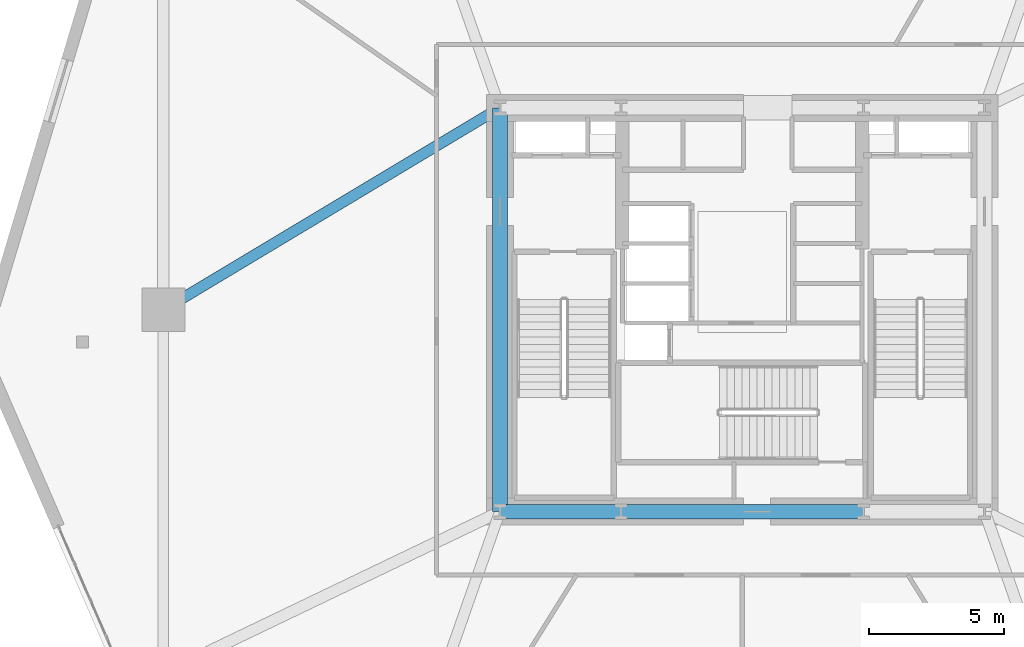
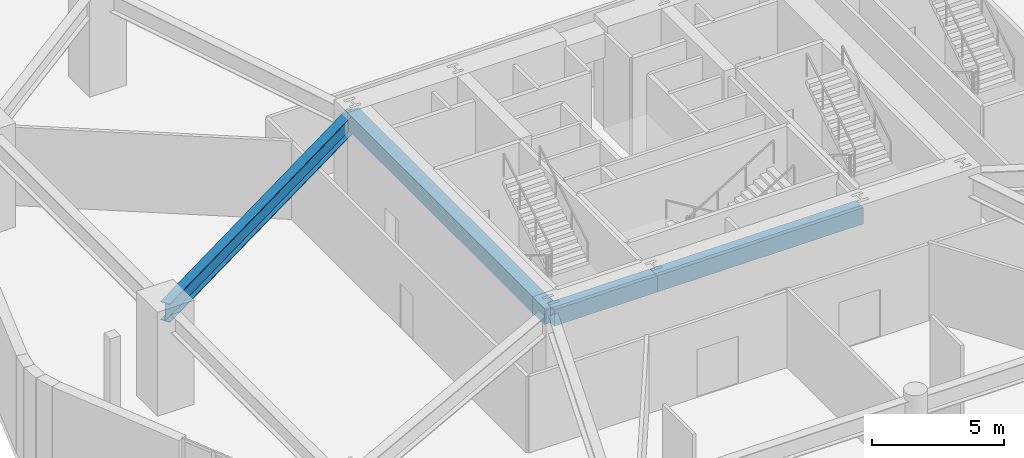
# One storey, part 8 of 17: 4 beams.
"""IFC4 building model written with IfcOpenShell, lengths in metres."""

from ifc_helpers import new_model, si_unit, direction, frame, origin, origin_2d, place, context, subcontext, project, spatial, rectangle, i_section, extrude, material, material_profile, profile_set, type_object, element, save


model = new_model("IFC4")

# Units and contexts
model_context = context("Model", 3, precision=1e-05, world=origin(), true_north=direction((0.0, 1.0)))
body_context = subcontext(model_context, "Body", "Model", "MODEL_VIEW")
ifc_project = project(units=[si_unit("LENGTHUNIT", "METRE"), si_unit("AREAUNIT", "SQUARE_METRE"), si_unit("VOLUMEUNIT", "CUBIC_METRE"), si_unit("PLANEANGLEUNIT", "RADIAN"), si_unit("MASSUNIT", "GRAM", prefix="KILO")], contexts=[model_context])

# Site, building, storey
site_placement = place(None, origin())
site = spatial("IfcSite", under=ifc_project, at=site_placement, CompositionType="ELEMENT")
building_placement = place(site_placement, origin())
building = spatial("IfcBuilding", under=site, at=building_placement, Name="Kilnhurst Terrace Hotel", CompositionType="ELEMENT")
storey_placement = place(building_placement, frame((0.0, 0.0, 18.60009765625)))
storey = spatial("IfcBuildingStorey", under=building, at=storey_placement, Name="L03", CompositionType="ELEMENT", Elevation=18.60009765625)

# Beams
ifc_material_1 = material(Name="Concrete C50/60", Category="concrete")
ifc_material_profile_1 = material_profile(ifc_material_1, rectangle(XDim=0.550048828125, YDim=0.75, at=origin_2d()), Name="RC550X750")
ifc_profile_set_1 = profile_set([ifc_material_profile_1], Name="Concrete C50/60")
beam_type_1 = type_object("IfcBeamType", Name="BM-SPN-550X750", PredefinedType="SPANDREL", material=ifc_profile_set_1)
beam_1_placement = place(storey_placement, frame((-9.0, -7.5, 4.10498046875), z_axis=(1.0, 0.0, 0.0), x_axis=(0.0, 1.0, 0.0)))
element("IfcBeam", 1, at=beam_1_placement, inside=storey, type_object=beam_type_1, Name="L03 Core Tie Beam CC-SW to CC-SC1", PredefinedType="SPANDREL", context=body_context, shape_type="SweptSolid", body=[
    extrude(rectangle(XDim=0.550048828125, YDim=0.75, at=origin_2d()), origin(), (0.0, 0.0, 1.0), 4.5),
])
beam_2_placement = place(storey_placement, frame((-4.5, -7.5, 4.10498046875), z_axis=(1.0, 0.0, 0.0), x_axis=(0.0, 1.0, 0.0)))
element("IfcBeam", 2, at=beam_2_placement, inside=storey, type_object=beam_type_1, Name="L03 Core Tie Beam CC-SC1 to CC-SC2", PredefinedType="SPANDREL", context=body_context, shape_type="SweptSolid", body=[
    extrude(rectangle(XDim=0.550048828125, YDim=0.75, at=origin_2d()), origin(), (0.0, 0.0, 1.0), 9.0),
])
beam_3_placement = place(storey_placement, frame((-9.0, -7.5, 4.10498046875), z_axis=(0.0, 1.0, 0.0), x_axis=(-1.0, 0.0, 0.0)))
element("IfcBeam", 3, at=beam_3_placement, inside=storey, type_object=beam_type_1, Name="L03 Core Tie Beam CC-SW to CC-NW", PredefinedType="SPANDREL", context=body_context, shape_type="SweptSolid", body=[
    extrude(rectangle(XDim=0.550048828125, YDim=0.75, at=origin_2d()), origin(), (0.0, 0.0, 1.0), 15.0),
])
ifc_material_2 = material(Name="Steel ASTM A992 Grade 50", Category="steel")
ifc_material_profile_2 = material_profile(ifc_material_2, i_section(OverallWidth=0.39990234375, OverallDepth=0.85546875, WebThickness=0.018310546875, FlangeThickness=0.029296875, at=origin_2d()), Name="W33X201")
ifc_profile_set_2 = profile_set([ifc_material_profile_2], Name="Steel ASTM A992 Grade 50")
beam_type_2 = type_object("IfcBeamType", Name="BM-STL-W33X201", PredefinedType="BEAM", material=ifc_profile_set_2)
beam_4_placement = place(storey_placement, frame((-21.5, 0.0, 4.052001953125), z_axis=(0.857492925713, 0.514495755428, 0.0), x_axis=(-0.514495755428, 0.857492925713, 0.0)))
element("IfcBeam", 4, at=beam_4_placement, inside=storey, type_object=beam_type_2, Name="L03 Podium Frame Beam 9", PredefinedType="BEAM", context=body_context, shape_type="SweptSolid", body=[
    extrude(i_section(OverallWidth=0.39990234375, OverallDepth=0.85546875, WebThickness=0.018310546875, FlangeThickness=0.029296875, at=origin_2d()), origin(), (0.0, 0.0, 1.0), 14.577392578125),
])

save(model, "model.ifc")
